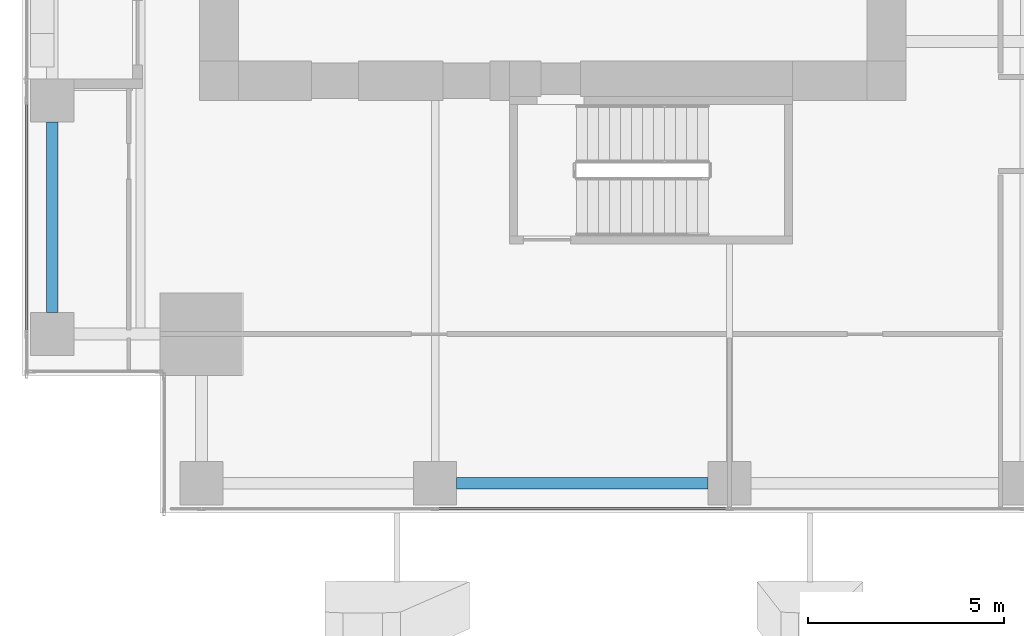
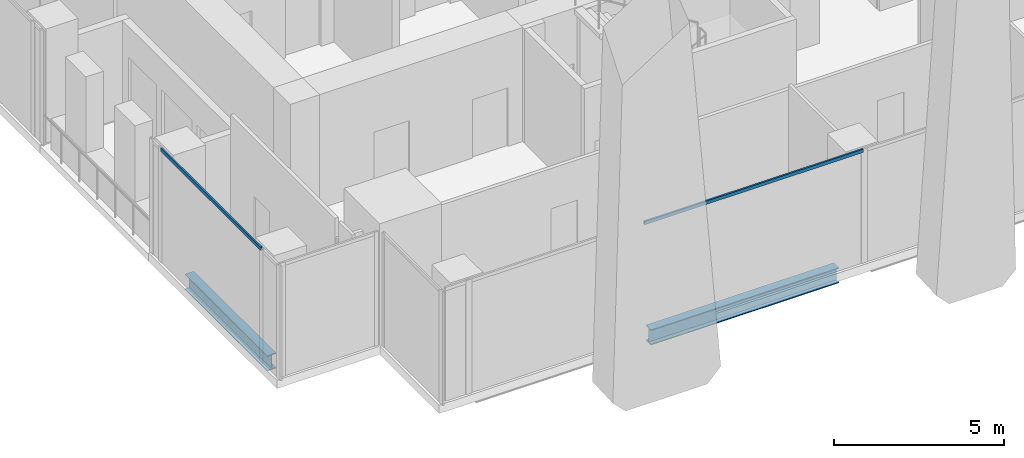
# One storey, part 3 of 35: 2 beams, 2 members, 2 elements without a shape of their own.
"""IFC4 building model written with IfcOpenShell, lengths in metres."""

import ifcopenshell
import ifcopenshell.guid

model = None  # the IFC model being written
_history = None  # IfcOwnerHistory: only IFC2X3 demands one
_inside = {}  # id of a spatial element -> (the spatial element, [elements in it])
_under = {}  # id of a project, library or spatial element -> (it, [spatial elements below it])
_declared = {}  # id of a project -> (the project, [libraries it declares])
_typed = {}  # id of a type object -> (the type object, [elements of that type])
_made_of = {}  # id of a material, layer set ... -> (it, [elements and type objects made of it])


def new_model(schema):
    """Start an empty IFC model of exactly this schema.

    Asked for "IFC4X3", IfcOpenShell would pick the latest addendum, in which some entities
    have other attributes; the version numbers below select the first issue.
    IFC2X3 requires an IfcOwnerHistory on every rooted entity: one is made here for all.
    """
    global model, _history
    if schema == "IFC4X3":
        model = ifcopenshell.file(schema_version=(4, 3, 0, 0))
    else:
        model = ifcopenshell.file(schema=schema)
    _inside.clear()
    _under.clear()
    _declared.clear()
    _typed.clear()
    _made_of.clear()
    _history = None
    if model.schema == "IFC2X3":
        org = make("IfcOrganization", Name="unknown")
        user = make(
            "IfcPersonAndOrganization",
            ThePerson=make("IfcPerson", FamilyName="unknown"),
            TheOrganization=org,
        )
        app = make(
            "IfcApplication",
            ApplicationDeveloper=org,
            Version="unknown",
            ApplicationFullName="unknown",
            ApplicationIdentifier="unknown",
        )
        _history = make(
            "IfcOwnerHistory",
            OwningUser=user,
            OwningApplication=app,
            ChangeAction="ADDED",
            CreationDate=0,
        )
    return model


def make(cls, **values):
    """One entity of the class cls with the attributes given. An attribute that is None is left unset."""
    return model.create_entity(
        cls, **{name: value for name, value in values.items() if value is not None}
    )


def rooted(cls, **values):
    """An entity with a GlobalId (a new one), such as an element, a storey or a relation."""
    return make(cls, GlobalId=ifcopenshell.guid.new(), OwnerHistory=_history, **values)


def si_unit(unit_type, name, prefix=None):
    """IfcSIUnit, for example si_unit("LENGTHUNIT", "METRE", prefix="MILLI")."""
    return make("IfcSIUnit", UnitType=unit_type, Prefix=prefix, Name=name)


def assignment(units):
    """IfcUnitAssignment: the units of a project."""
    return None if units is None else make("IfcUnitAssignment", Units=units)


def point(xyz):
    """IfcCartesianPoint."""
    return None if xyz is None else make("IfcCartesianPoint", Coordinates=xyz)


def direction(xyz):
    """IfcDirection."""
    return None if xyz is None else make("IfcDirection", DirectionRatios=xyz)


def frame(location, z_axis=None, x_axis=None):
    """IfcAxis2Placement3D, a coordinate frame: its origin and axes. An axis left out is left unset."""
    return make(
        "IfcAxis2Placement3D",
        Location=point(location),
        Axis=direction(z_axis),
        RefDirection=direction(x_axis),
    )


def frame_2d(location, x_axis=None):
    """IfcAxis2Placement2D, a coordinate frame in the plane: its origin and x axis."""
    return make(
        "IfcAxis2Placement2D", Location=point(location), RefDirection=direction(x_axis)
    )


def origin():
    """The frame at (0, 0, 0) with its axes left unset."""
    return frame((0.0, 0.0, 0.0))


def origin_2d():
    """The frame at (0, 0) in the plane with its x axis left unset."""
    return frame_2d((0.0, 0.0))


def place(relative_to, where):
    """IfcLocalPlacement: puts the frame where relative to a parent placement (None: the world)."""
    return make(
        "IfcLocalPlacement", PlacementRelTo=relative_to, RelativePlacement=where
    )


def context(
    kind, dimensions, precision=None, world=None, true_north=None, identifier=None
):
    """IfcGeometricRepresentationContext, for example the 3D "Model" context."""
    return make(
        "IfcGeometricRepresentationContext",
        ContextIdentifier=identifier,
        ContextType=kind,
        CoordinateSpaceDimension=dimensions,
        Precision=precision,
        WorldCoordinateSystem=world,
        TrueNorth=true_north,
    )


def subcontext(parent, identifier, kind, view, scale=None):
    """IfcGeometricRepresentationSubContext, for example "Body" below "Model"."""
    return make(
        "IfcGeometricRepresentationSubContext",
        ContextIdentifier=identifier,
        ContextType=kind,
        ParentContext=parent,
        TargetScale=scale,
        TargetView=view,
    )


def project(units=None, contexts=None):
    """IfcProject with its units and contexts."""
    return rooted(
        "IfcProject",
        Name="project",
        RepresentationContexts=contexts,
        UnitsInContext=assignment(units),
    )


def spatial(cls, under=None, at=None, **own):
    """A site, building, storey or space (cls), placed at a placement, below another one or the project."""
    s = rooted(cls, ObjectPlacement=at, **own)
    if under is not None:
        _under.setdefault(under.id(), (under, []))[1].append(s)
    return s


def profile(cls, at=None, kind="AREA", **sizes):
    """A parametric profile (cls). Its sizes go by their IFC names, for example OverallWidth=200.0."""
    return make(cls, ProfileType=kind, Position=at, **sizes)


def hollow_rectangle(**sizes):
    """IfcRectangleHollowProfileDef."""
    return profile("IfcRectangleHollowProfileDef", **sizes)


def i_section(**sizes):
    """IfcIShapeProfileDef."""
    return profile("IfcIShapeProfileDef", **sizes)


def extrude(swept, where, along, depth):
    """IfcExtrudedAreaSolid: the profile swept, set in the frame where, extruded along a direction by depth."""
    return make(
        "IfcExtrudedAreaSolid",
        SweptArea=swept,
        Position=where,
        ExtrudedDirection=direction(along),
        Depth=depth,
    )


def shape(context_of_items, identifier, shape_type, items):
    """IfcShapeRepresentation: the items that make up one representation, for example the "Body"."""
    return make(
        "IfcShapeRepresentation",
        ContextOfItems=context_of_items,
        RepresentationIdentifier=identifier,
        RepresentationType=shape_type,
        Items=items,
    )


def source(mapping_origin, context_of_items, identifier, shape_type, items):
    """IfcRepresentationMap: a shape defined once, which mapped items show again and again."""
    return make(
        "IfcRepresentationMap",
        MappingOrigin=mapping_origin,
        MappedRepresentation=shape(context_of_items, identifier, shape_type, items),
    )


def transform(
    local_origin,
    x_axis=None,
    y_axis=None,
    z_axis=None,
    scale=None,
    scale2=None,
    scale3=None,
    uniform=True,
):
    """IfcCartesianTransformationOperator3D, or its non-uniform kind. x_axis, y_axis, z_axis: its Axis1, 2, 3."""
    if uniform:
        return make(
            "IfcCartesianTransformationOperator3D",
            Axis1=direction(x_axis),
            Axis2=direction(y_axis),
            LocalOrigin=point(local_origin),
            Scale=scale,
            Axis3=direction(z_axis),
        )
    return make(
        "IfcCartesianTransformationOperator3DnonUniform",
        Axis1=direction(x_axis),
        Axis2=direction(y_axis),
        LocalOrigin=point(local_origin),
        Scale=scale,
        Axis3=direction(z_axis),
        Scale2=scale2,
        Scale3=scale3,
    )


def mapped(mapping_source, mapping_target):
    """IfcMappedItem: shows the shape of a source again, moved by a transform."""
    return make(
        "IfcMappedItem", MappingSource=mapping_source, MappingTarget=mapping_target
    )


def material(Name=None, Category=None):
    """IfcMaterial."""
    return make("IfcMaterial", Name=Name, Category=Category)


def material_profile(
    of_material, cross_section, Name=None, Category=None, Priority=None
):
    """IfcMaterialProfile: a cross section and its material."""
    return make(
        "IfcMaterialProfile",
        Name=Name,
        Material=of_material,
        Profile=cross_section,
        Priority=Priority,
        Category=Category,
    )


def profile_set(profiles, Name=None, composite=None):
    """IfcMaterialProfileSet."""
    return make(
        "IfcMaterialProfileSet",
        Name=Name,
        MaterialProfiles=profiles,
        CompositeProfile=composite,
    )


def made_of(thing, what):
    """Note that an element or type object is made of a material, layer set ...; save() writes the relation."""
    if what is not None:
        _made_of.setdefault(what.id(), (what, []))[1].append(thing)
    return thing


def type_object(cls, material=None, **own):
    """A type object (cls), such as IfcWallType, which elements share."""
    return made_of(rooted(cls, **own), material)


def element(
    cls,
    number,
    at=None,
    inside=None,
    cuts=None,
    type_object=None,
    material=None,
    context=None,
    identifier="Body",
    shape_type=None,
    held_by="IfcProductDefinitionShape",
    body=None,
    shapes=None,
    **own,
):
    """One element of the class cls, such as IfcWall. Its Tag is "e" and its number.

    at: its placement. inside: the storey or other place that contains it. cuts: it is an
    opening in that element (IfcRelVoidsElement). A single representation is given by context,
    identifier, shape_type and body (its items); several are given by shapes. held_by: the class
    of the entity that holds the representations. save() writes the other relations.
    """
    e = rooted(cls, Tag="e%d" % number, ObjectPlacement=at, **own)
    if body is not None:
        shapes = [shape(context, identifier, shape_type, body)]
    if shapes is not None:
        e.Representation = make(held_by, Representations=shapes)
    if inside is not None:
        _inside.setdefault(inside.id(), (inside, []))[1].append(e)
    if cuts is not None:
        rooted(
            "IfcRelVoidsElement", RelatingBuildingElement=cuts, RelatedOpeningElement=e
        )
    if type_object is not None:
        _typed.setdefault(type_object.id(), (type_object, []))[1].append(e)
    return made_of(e, material)


def aggregate(whole, parts):
    """IfcRelAggregates: a whole, such as a stair, and the parts it consists of."""
    return rooted("IfcRelAggregates", RelatingObject=whole, RelatedObjects=parts)


def save(model, path):
    """Write the relations noted so far, then the file.

    IfcRelAggregates (storeys below a building ...), IfcRelContainedInSpatialStructure (elements
    in a storey), IfcRelDefinesByType, IfcRelAssociatesMaterial and IfcRelDeclares: one each for
    every whole, place, type object, material and project.
    """
    for whole, parts in _under.values():
        aggregate(whole, parts)
    for where, things in _inside.values():
        rooted(
            "IfcRelContainedInSpatialStructure",
            RelatedElements=things,
            RelatingStructure=where,
        )
    for kind, things in _typed.values():
        rooted("IfcRelDefinesByType", RelatedObjects=things, RelatingType=kind)
    for what, things in _made_of.values():
        rooted("IfcRelAssociatesMaterial", RelatedObjects=things, RelatingMaterial=what)
    for by, libraries in _declared.values():
        rooted("IfcRelDeclares", RelatingContext=by, RelatedDefinitions=libraries)
    model.write(path)


model = new_model("IFC4")

# Units and contexts
model_context = context("Model", 3, precision=1e-05, world=origin(), true_north=direction((0.0, 1.0)))
body_context = subcontext(model_context, "Body", "Model", "MODEL_VIEW")
ifc_project = project(units=[si_unit("LENGTHUNIT", "METRE"), si_unit("AREAUNIT", "SQUARE_METRE"), si_unit("VOLUMEUNIT", "CUBIC_METRE"), si_unit("PLANEANGLEUNIT", "RADIAN"), si_unit("MASSUNIT", "GRAM", prefix="KILO")], contexts=[model_context])

# Site, building, storey
site_placement = place(None, origin())
site = spatial("IfcSite", under=ifc_project, at=site_placement, CompositionType="ELEMENT")
building_placement = place(site_placement, origin())
building = spatial("IfcBuilding", under=site, at=building_placement, Name="Khomas Fold Tower", CompositionType="ELEMENT")
storey_placement = place(building_placement, frame((0.0, 0.0, 119.10009765625)))
storey = spatial("IfcBuildingStorey", under=building, at=storey_placement, Name="L25", CompositionType="ELEMENT", Elevation=119.10009765625)

# Beams
ifc_material_1 = material(Name="Steel S355", Category="steel")
ifc_material_profile_1 = material_profile(ifc_material_1, i_section(OverallWidth=0.300048828125, OverallDepth=0.550048828125, WebThickness=0.014892578125, FlangeThickness=0.029052734375, at=origin_2d()), Name="HE 550 B")
ifc_profile_set_1 = profile_set([ifc_material_profile_1], Name="Steel S355")
beam_type = type_object("IfcBeamType", Name="HE 550 B spandrel SB2", PredefinedType="SPANDREL", material=ifc_profile_set_1)
shared_shape_1 = source(origin(), body_context, "Body", "SweptSolid", [
    extrude(i_section(OverallWidth=0.300048828125, OverallDepth=0.550048828125, WebThickness=0.014892578125, FlangeThickness=0.029052734375, at=origin_2d()), origin(), (0.0, 0.0, 1.0), 4.849853515625),
])
beam_1_placement = place(storey_placement, frame((2.25, 6.60009765625, -0.5751953125), z_axis=(0.0, 1.0, 0.0), x_axis=(-1.0, 0.0, 0.0)))
element("IfcBeam", 1, at=beam_1_placement, inside=storey, type_object=beam_type, Name="SB2", PredefinedType="SPANDREL", context=body_context, shape_type="MappedRepresentation", body=[
    mapped(shared_shape_1, transform((0.0, 0.0, 0.0))),
])
shared_shape_2 = source(origin(), body_context, "Body", "SweptSolid", [
    extrude(i_section(OverallWidth=0.300048828125, OverallDepth=0.550048828125, WebThickness=0.014892578125, FlangeThickness=0.029052734375, at=origin_2d()), origin(), (0.0, 0.0, 1.0), 6.39990234375),
])
beam_2_placement = place(storey_placement, frame((12.550048828125, 2.25, -0.5751953125), z_axis=(1.0, 0.0, 0.0), x_axis=(0.0, 1.0, 0.0)))
element("IfcBeam", 2, at=beam_2_placement, inside=storey, type_object=beam_type, Name="SB2", PredefinedType="SPANDREL", context=body_context, shape_type="MappedRepresentation", body=[
    mapped(shared_shape_2, transform((0.0, 0.0, 0.0))),
])

# Curtain wall, member
ifc_material_2 = material(Name="Aluminium framed double glazing", Category="aluminium")
curtain_wall_type = type_object("IfcCurtainWallType", Name="SK-Unitised clear-glass wall, growing floors CW1", PredefinedType="NOTDEFINED", material=ifc_material_2)
curtain_wall_1_placement = place(storey_placement, origin())
curtain_wall_1 = element("IfcCurtainWall", 3, at=curtain_wall_1_placement, inside=storey, type_object=curtain_wall_type, Name="CW1 run L25 00-0", PredefinedType="NOTDEFINED")
ifc_material_3 = material(Name="Aluminium", Category="aluminium")
ifc_material_profile_2 = material_profile(ifc_material_3, hollow_rectangle(XDim=0.06005859375, YDim=0.1201171875, WallThickness=0.00390625, at=origin_2d()), Name="SK-Unitised clear-glass wall, growing floors transom CW1-T")
ifc_profile_set_2 = profile_set([ifc_material_profile_2], Name="Aluminium")
member_type = type_object("IfcMemberType", Name="SK-Unitised clear-glass wall, growing floors transom CW1-T", PredefinedType="USERDEFINED", material=ifc_profile_set_2)
shared_shape_3 = source(origin(), body_context, "Body", "SweptSolid", [
    extrude(hollow_rectangle(XDim=0.06005859375, YDim=0.1201171875, WallThickness=0.00390625, at=origin_2d()), origin(), (0.0, 0.0, 1.0), 7.43994140625),
])
member_1_placement = place(storey_placement, frame((12.030029296875, 1.60009765625, 4.039794921875), z_axis=(1.0, 0.0, 0.0), x_axis=(0.0, 1.0, 0.0)))
member_1 = element("IfcMember", 4, at=member_1_placement, type_object=member_type, Name="CW1 transom 3", ObjectType="TRANSOM", PredefinedType="USERDEFINED", context=body_context, shape_type="MappedRepresentation", body=[
    mapped(shared_shape_3, transform((0.0, 0.0, 0.0))),
])
aggregate(curtain_wall_1, [member_1])

curtain_wall_2_placement = place(storey_placement, origin())
curtain_wall_2 = element("IfcCurtainWall", 5, at=curtain_wall_2_placement, inside=storey, type_object=curtain_wall_type, Name="CW1 run L25 09-1", PredefinedType="NOTDEFINED")
shared_shape_4 = source(origin(), body_context, "Body", "SweptSolid", [
    extrude(hollow_rectangle(XDim=0.06005859375, YDim=0.1201171875, WallThickness=0.00390625, at=origin_2d()), origin(), (0.0, 0.0, 1.0), 5.889892578125),
])
member_2_placement = place(storey_placement, frame((1.60009765625, 11.969970703125, 4.039794921875), z_axis=(0.0, -1.0, 0.0), x_axis=(1.0, 0.0, 0.0)))
member_2 = element("IfcMember", 6, at=member_2_placement, type_object=member_type, Name="CW1 transom 2", ObjectType="TRANSOM", PredefinedType="USERDEFINED", context=body_context, shape_type="MappedRepresentation", body=[
    mapped(shared_shape_4, transform((0.0, 0.0, 0.0))),
])
aggregate(curtain_wall_2, [member_2])

save(model, "model.ifc")
